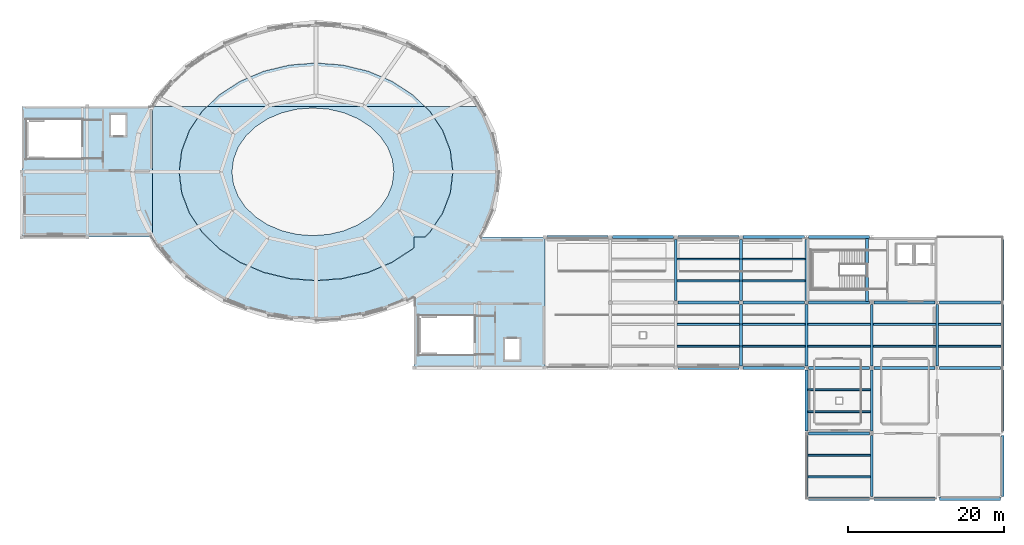
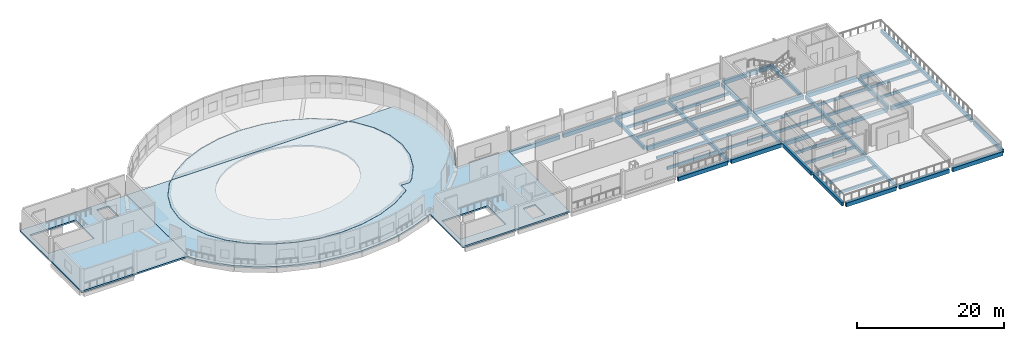
# One storey, part 5 of 16: 53 beams, 4 slabs.
"""IFC4 building model written with IfcOpenShell, lengths in metres."""

from ifc_helpers import new_model, si_unit, derived_unit, direction, frame, origin, origin_2d, place, context, subcontext, project, spatial, polyline, rectangle, outline, extrude, material, layer, layer_set, material_profile, profile_set, type_object, element, save


model = new_model("IFC4")

# Units and contexts
model_context = context("Model", 3, precision=1e-05, world=origin(), true_north=direction((0.0, 1.0)))
body_context = subcontext(model_context, "Body", "Model", "MODEL_VIEW")
ifc_project = project(units=[si_unit("LENGTHUNIT", "METRE"), si_unit("AREAUNIT", "SQUARE_METRE"), si_unit("VOLUMEUNIT", "CUBIC_METRE"), si_unit("PLANEANGLEUNIT", "RADIAN"), si_unit("MASSUNIT", "GRAM", prefix="KILO"), derived_unit("THERMALTRANSMITTANCEUNIT", [(si_unit("POWERUNIT", "WATT"), 1), (si_unit("LENGTHUNIT", "METRE"), -2), (si_unit("THERMODYNAMICTEMPERATUREUNIT", "KELVIN"), -1)])], contexts=[model_context])

# Site, building, storey
site_placement = place(None, origin())
site = spatial("IfcSite", under=ifc_project, at=site_placement, CompositionType="ELEMENT")
building_placement = place(site_placement, origin())
building = spatial("IfcBuilding", under=site, at=building_placement, Name="Elbkamm Science Centre", CompositionType="ELEMENT")
storey_placement = place(building_placement, frame((0.0, 0.0, 21.60009765625)))
storey = spatial("IfcBuildingStorey", under=building, at=storey_placement, Name="L05", CompositionType="ELEMENT", Elevation=21.60009765625)

# Beams
ifc_material_1 = material(Name="Concrete C40/50", Category="concrete")
ifc_material_profile_1 = material_profile(ifc_material_1, rectangle(XDim=0.35009765625, YDim=0.60009765625, at=origin_2d()), Name="RC 350x600")
ifc_profile_set_1 = profile_set([ifc_material_profile_1], Name="Concrete C40/50")
beam_type_1 = type_object("IfcBeamType", Name="BM-RC-350x600", PredefinedType="BEAM", material=ifc_profile_set_1)
beam_1_placement = place(storey_placement, frame((109.199951171875, 50.675048828125, -0.56005859375), z_axis=(0.0, 1.0, 0.0), x_axis=(-1.0, 0.0, 0.0)))
element("IfcBeam", 1, at=beam_1_placement, inside=storey, type_object=beam_type_1, Name="L05 Primary Y-Girder 006", PredefinedType="BEAM", context=body_context, shape_type="SweptSolid", body=[
    extrude(rectangle(XDim=0.35009765625, YDim=0.60009765625, at=origin_2d()), origin(), (0.0, 0.0, 1.0), 7.849853515625),
])
beam_2_placement = place(storey_placement, frame((117.60009765625, 42.27490234375, -0.56005859375), z_axis=(0.0, 1.0, 0.0), x_axis=(-1.0, 0.0, 0.0)))
element("IfcBeam", 2, at=beam_2_placement, inside=storey, type_object=beam_type_1, Name="L05 Primary Y-Girder 007", PredefinedType="BEAM", context=body_context, shape_type="SweptSolid", body=[
    extrude(rectangle(XDim=0.35009765625, YDim=0.60009765625, at=origin_2d()), origin(), (0.0, 0.0, 1.0), 7.85009765625),
])
for number, where, z_axis, x_axis, name in (
    (3, (117.60009765625, 50.675048828125, -0.56005859375), (0.0, 1.0, 0.0), (-1.0, 0.0, 0.0), "L05 Primary Y-Girder 008"),
    (4, (126.0, 25.47509765625, -0.52001953125), (0.0, 1.0, 0.0), (-1.0, 0.0, 0.0), "L05 Primary Y-Girder 009"),
):
    element("IfcBeam", number, at=place(storey_placement, frame(where, z_axis=z_axis, x_axis=x_axis)), inside=storey, type_object=beam_type_1, Name=name, PredefinedType="BEAM", context=body_context, shape_type="SweptSolid", body=[
        extrude(rectangle(XDim=0.35009765625, YDim=0.60009765625, at=origin_2d()), origin(), (0.0, 0.0, 1.0), 7.849853515625),
    ])
for number, where, z_axis, x_axis, name in (
    (5, (126.0, 33.875, -0.56005859375), (0.0, 1.0, 0.0), (-1.0, 0.0, 0.0), "L05 Primary Y-Girder 010"),
    (6, (126.0, 42.27490234375, -0.56005859375), (0.0, 1.0, 0.0), (-1.0, 0.0, 0.0), "L05 Primary Y-Girder 011"),
):
    element("IfcBeam", number, at=place(storey_placement, frame(where, z_axis=z_axis, x_axis=x_axis)), inside=storey, type_object=beam_type_1, Name=name, PredefinedType="BEAM", context=body_context, shape_type="SweptSolid", body=[
        extrude(rectangle(XDim=0.35009765625, YDim=0.60009765625, at=origin_2d()), origin(), (0.0, 0.0, 1.0), 7.85009765625),
    ])
for number, where, z_axis, x_axis, name in (
    (7, (126.0, 50.675048828125, -0.56005859375), (0.0, 1.0, 0.0), (-1.0, 0.0, 0.0), "L05 Primary Y-Girder 012"),
    (8, (134.39990234375, 25.47509765625, -0.52001953125), (0.0, 1.0, 0.0), (-1.0, 0.0, 0.0), "L05 Primary Y-Girder 013"),
):
    element("IfcBeam", number, at=place(storey_placement, frame(where, z_axis=z_axis, x_axis=x_axis)), inside=storey, type_object=beam_type_1, Name=name, PredefinedType="BEAM", context=body_context, shape_type="SweptSolid", body=[
        extrude(rectangle(XDim=0.35009765625, YDim=0.60009765625, at=origin_2d()), origin(), (0.0, 0.0, 1.0), 7.849853515625),
    ])
for number, where, z_axis, x_axis, name in (
    (9, (134.39990234375, 33.875, -0.56005859375), (0.0, 1.0, 0.0), (-1.0, 0.0, 0.0), "L05 Primary Y-Girder 014"),
    (10, (134.39990234375, 42.27490234375, -0.56005859375), (0.0, 1.0, 0.0), (-1.0, 0.0, 0.0), "L05 Primary Y-Girder 015"),
    (11, (142.800048828125, 42.27490234375, -0.56005859375), (0.0, 1.0, 0.0), (-1.0, 0.0, 0.0), "L05 Primary Y-Girder 016"),
):
    element("IfcBeam", number, at=place(storey_placement, frame(where, z_axis=z_axis, x_axis=x_axis)), inside=storey, type_object=beam_type_1, Name=name, PredefinedType="BEAM", context=body_context, shape_type="SweptSolid", body=[
        extrude(rectangle(XDim=0.35009765625, YDim=0.60009765625, at=origin_2d()), origin(), (0.0, 0.0, 1.0), 7.85009765625),
    ])
beam_3_placement = place(storey_placement, frame((151.199951171875, 25.47509765625, -0.56005859375), z_axis=(0.0, 1.0, 0.0), x_axis=(-1.0, 0.0, 0.0)))
element("IfcBeam", 12, at=beam_3_placement, inside=storey, type_object=beam_type_1, Name="L05 Primary Y-Girder 017", PredefinedType="BEAM", context=body_context, shape_type="SweptSolid", body=[
    extrude(rectangle(XDim=0.35009765625, YDim=0.60009765625, at=origin_2d()), origin(), (0.0, 0.0, 1.0), 7.849853515625),
])
for number, where, z_axis, x_axis, name in (
    (13, (151.199951171875, 33.875, -0.52001953125), (0.0, 1.0, 0.0), (-1.0, 0.0, 0.0), "L05 Primary Y-Girder 018"),
    (14, (151.199951171875, 42.27490234375, -0.52001953125), (0.0, 1.0, 0.0), (-1.0, 0.0, 0.0), "L05 Primary Y-Girder 019"),
):
    element("IfcBeam", number, at=place(storey_placement, frame(where, z_axis=z_axis, x_axis=x_axis)), inside=storey, type_object=beam_type_1, Name=name, PredefinedType="BEAM", context=body_context, shape_type="SweptSolid", body=[
        extrude(rectangle(XDim=0.35009765625, YDim=0.60009765625, at=origin_2d()), origin(), (0.0, 0.0, 1.0), 7.85009765625),
    ])
beam_4_placement = place(storey_placement, frame((151.199951171875, 50.675048828125, -0.52001953125), z_axis=(0.0, 1.0, 0.0), x_axis=(-1.0, 0.0, 0.0)))
element("IfcBeam", 15, at=beam_4_placement, inside=storey, type_object=beam_type_1, Name="L05 Primary Y-Girder 020", PredefinedType="BEAM", context=body_context, shape_type="SweptSolid", body=[
    extrude(rectangle(XDim=0.35009765625, YDim=0.60009765625, at=origin_2d()), origin(), (0.0, 0.0, 1.0), 7.849853515625),
])
beam_5_placement = place(storey_placement, frame((133.780029296875, 50.550048828125, -0.300048828125), z_axis=(0.0, 1.0, 0.0), x_axis=(-1.0, 0.0, 0.0)))
element("IfcBeam", 16, at=beam_5_placement, inside=storey, type_object=beam_type_1, Name="L05 ST-C3 Landing Trimmer Beam", PredefinedType="BEAM", context=body_context, shape_type="SweptSolid", body=[
    extrude(rectangle(XDim=0.35009765625, YDim=0.60009765625, at=origin_2d()), origin(), (0.0, 0.0, 1.0), 8.099853515625),
])
ifc_material_profile_2 = material_profile(ifc_material_1, rectangle(XDim=0.39990234375, YDim=0.64990234375, at=origin_2d()), Name="RC 400x650")
ifc_profile_set_2 = profile_set([ifc_material_profile_2], Name="Concrete C40/50")
beam_type_2 = type_object("IfcBeamType", Name="BM-RC-400x650", PredefinedType="BEAM", material=ifc_profile_set_2)
beam_6_placement = place(storey_placement, frame((126.27490234375, 25.199951171875, -0.545166015625), z_axis=(1.0, 0.0, 0.0), x_axis=(0.0, 1.0, 0.0)))
element("IfcBeam", 17, at=beam_6_placement, inside=storey, type_object=beam_type_2, Name="L05 Primary X-Girder 001", PredefinedType="BEAM", context=body_context, shape_type="SweptSolid", body=[
    extrude(rectangle(XDim=0.39990234375, YDim=0.64990234375, at=origin_2d()), origin(), (0.0, 0.0, 1.0), 7.85009765625),
])
beam_7_placement = place(storey_placement, frame((134.675048828125, 25.199951171875, -0.545166015625), z_axis=(1.0, 0.0, 0.0), x_axis=(0.0, 1.0, 0.0)))
element("IfcBeam", 18, at=beam_7_placement, inside=storey, type_object=beam_type_2, Name="L05 Primary X-Girder 002", PredefinedType="BEAM", context=body_context, shape_type="SweptSolid", body=[
    extrude(rectangle(XDim=0.39990234375, YDim=0.64990234375, at=origin_2d()), origin(), (0.0, 0.0, 1.0), 7.849853515625),
])
for number, where, z_axis, x_axis, name in (
    (19, (143.074951171875, 25.199951171875, -0.585205078125), (1.0, 0.0, 0.0), (0.0, 1.0, 0.0), "L05 Primary X-Girder 003"),
    (20, (126.27490234375, 33.60009765625, -0.585205078125), (1.0, 0.0, 0.0), (0.0, 1.0, 0.0), "L05 Primary X-Girder 004"),
):
    element("IfcBeam", number, at=place(storey_placement, frame(where, z_axis=z_axis, x_axis=x_axis)), inside=storey, type_object=beam_type_2, Name=name, PredefinedType="BEAM", context=body_context, shape_type="SweptSolid", body=[
        extrude(rectangle(XDim=0.39990234375, YDim=0.64990234375, at=origin_2d()), origin(), (0.0, 0.0, 1.0), 7.85009765625),
    ])
beam_8_placement = place(storey_placement, frame((109.47509765625, 42.0, -0.585205078125), z_axis=(1.0, 0.0, 0.0), x_axis=(0.0, 1.0, 0.0)))
element("IfcBeam", 21, at=beam_8_placement, inside=storey, type_object=beam_type_2, Name="L05 Primary X-Girder 009", PredefinedType="BEAM", context=body_context, shape_type="SweptSolid", body=[
    extrude(rectangle(XDim=0.39990234375, YDim=0.64990234375, at=origin_2d()), origin(), (0.0, 0.0, 1.0), 7.849853515625),
])
for number, where, z_axis, x_axis, name in (
    (22, (117.875, 42.0, -0.585205078125), (1.0, 0.0, 0.0), (0.0, 1.0, 0.0), "L05 Primary X-Girder 010"),
    (23, (126.27490234375, 42.0, -0.585205078125), (1.0, 0.0, 0.0), (0.0, 1.0, 0.0), "L05 Primary X-Girder 011"),
):
    element("IfcBeam", number, at=place(storey_placement, frame(where, z_axis=z_axis, x_axis=x_axis)), inside=storey, type_object=beam_type_2, Name=name, PredefinedType="BEAM", context=body_context, shape_type="SweptSolid", body=[
        extrude(rectangle(XDim=0.39990234375, YDim=0.64990234375, at=origin_2d()), origin(), (0.0, 0.0, 1.0), 7.85009765625),
    ])
beam_9_placement = place(storey_placement, frame((134.675048828125, 42.0, -0.585205078125), z_axis=(1.0, 0.0, 0.0), x_axis=(0.0, 1.0, 0.0)))
element("IfcBeam", 24, at=beam_9_placement, inside=storey, type_object=beam_type_2, Name="L05 Primary X-Girder 012", PredefinedType="BEAM", context=body_context, shape_type="SweptSolid", body=[
    extrude(rectangle(XDim=0.39990234375, YDim=0.64990234375, at=origin_2d()), origin(), (0.0, 0.0, 1.0), 7.849853515625),
])
beam_10_placement = place(storey_placement, frame((143.074951171875, 42.0, -0.545166015625), z_axis=(1.0, 0.0, 0.0), x_axis=(0.0, 1.0, 0.0)))
element("IfcBeam", 25, at=beam_10_placement, inside=storey, type_object=beam_type_2, Name="L05 Primary X-Girder 013", PredefinedType="BEAM", context=body_context, shape_type="SweptSolid", body=[
    extrude(rectangle(XDim=0.39990234375, YDim=0.64990234375, at=origin_2d()), origin(), (0.0, 0.0, 1.0), 7.85009765625),
])
beam_11_placement = place(storey_placement, frame((109.47509765625, 50.39990234375, -0.585205078125), z_axis=(1.0, 0.0, 0.0), x_axis=(0.0, 1.0, 0.0)))
element("IfcBeam", 26, at=beam_11_placement, inside=storey, type_object=beam_type_2, Name="L05 Primary X-Girder 015", PredefinedType="BEAM", context=body_context, shape_type="SweptSolid", body=[
    extrude(rectangle(XDim=0.39990234375, YDim=0.64990234375, at=origin_2d()), origin(), (0.0, 0.0, 1.0), 7.849853515625),
])
for number, where, z_axis, x_axis, name in (
    (27, (117.875, 50.39990234375, -0.585205078125), (1.0, 0.0, 0.0), (0.0, 1.0, 0.0), "L05 Primary X-Girder 016"),
    (28, (126.27490234375, 50.39990234375, -0.585205078125), (1.0, 0.0, 0.0), (0.0, 1.0, 0.0), "L05 Primary X-Girder 017"),
):
    element("IfcBeam", number, at=place(storey_placement, frame(where, z_axis=z_axis, x_axis=x_axis)), inside=storey, type_object=beam_type_2, Name=name, PredefinedType="BEAM", context=body_context, shape_type="SweptSolid", body=[
        extrude(rectangle(XDim=0.39990234375, YDim=0.64990234375, at=origin_2d()), origin(), (0.0, 0.0, 1.0), 7.85009765625),
    ])
beam_12_placement = place(storey_placement, frame((134.675048828125, 50.39990234375, -0.585205078125), z_axis=(1.0, 0.0, 0.0), x_axis=(0.0, 1.0, 0.0)))
element("IfcBeam", 29, at=beam_12_placement, inside=storey, type_object=beam_type_2, Name="L05 Primary X-Girder 018", PredefinedType="BEAM", context=body_context, shape_type="SweptSolid", body=[
    extrude(rectangle(XDim=0.39990234375, YDim=0.64990234375, at=origin_2d()), origin(), (0.0, 0.0, 1.0), 7.849853515625),
])
beam_13_placement = place(storey_placement, frame((143.074951171875, 50.39990234375, -0.545166015625), z_axis=(1.0, 0.0, 0.0), x_axis=(0.0, 1.0, 0.0)))
element("IfcBeam", 30, at=beam_13_placement, inside=storey, type_object=beam_type_2, Name="L05 Primary X-Girder 019", PredefinedType="BEAM", context=body_context, shape_type="SweptSolid", body=[
    extrude(rectangle(XDim=0.39990234375, YDim=0.64990234375, at=origin_2d()), origin(), (0.0, 0.0, 1.0), 7.85009765625),
])
beam_14_placement = place(storey_placement, frame((92.675048828125, 58.800048828125, -0.585205078125), z_axis=(1.0, 0.0, 0.0), x_axis=(0.0, 1.0, 0.0)))
element("IfcBeam", 31, at=beam_14_placement, inside=storey, type_object=beam_type_2, Name="L05 Primary X-Girder 021", PredefinedType="BEAM", context=body_context, shape_type="SweptSolid", body=[
    extrude(rectangle(XDim=0.39990234375, YDim=0.64990234375, at=origin_2d()), origin(), (0.0, 0.0, 1.0), 7.849853515625),
])
beam_15_placement = place(storey_placement, frame((101.074951171875, 58.800048828125, -0.585205078125), z_axis=(1.0, 0.0, 0.0), x_axis=(0.0, 1.0, 0.0)))
element("IfcBeam", 32, at=beam_15_placement, inside=storey, type_object=beam_type_2, Name="L05 Primary X-Girder 022", PredefinedType="BEAM", context=body_context, shape_type="SweptSolid", body=[
    extrude(rectangle(XDim=0.39990234375, YDim=0.64990234375, at=origin_2d()), origin(), (0.0, 0.0, 1.0), 7.85009765625),
])
beam_16_placement = place(storey_placement, frame((109.47509765625, 58.800048828125, -0.585205078125), z_axis=(1.0, 0.0, 0.0), x_axis=(0.0, 1.0, 0.0)))
element("IfcBeam", 33, at=beam_16_placement, inside=storey, type_object=beam_type_2, Name="L05 Primary X-Girder 023", PredefinedType="BEAM", context=body_context, shape_type="SweptSolid", body=[
    extrude(rectangle(XDim=0.39990234375, YDim=0.64990234375, at=origin_2d()), origin(), (0.0, 0.0, 1.0), 7.849853515625),
])
for number, where, z_axis, x_axis, name in (
    (34, (117.875, 58.800048828125, -0.585205078125), (1.0, 0.0, 0.0), (0.0, 1.0, 0.0), "L05 Primary X-Girder 024"),
    (35, (126.27490234375, 58.800048828125, -0.585205078125), (1.0, 0.0, 0.0), (0.0, 1.0, 0.0), "L05 Primary X-Girder 025"),
):
    element("IfcBeam", number, at=place(storey_placement, frame(where, z_axis=z_axis, x_axis=x_axis)), inside=storey, type_object=beam_type_2, Name=name, PredefinedType="BEAM", context=body_context, shape_type="SweptSolid", body=[
        extrude(rectangle(XDim=0.39990234375, YDim=0.64990234375, at=origin_2d()), origin(), (0.0, 0.0, 1.0), 7.85009765625),
    ])
ifc_material_profile_3 = material_profile(ifc_material_1, rectangle(XDim=0.25, YDim=0.449951171875, at=origin_2d()), Name="RC 250x450")
ifc_profile_set_3 = profile_set([ifc_material_profile_3], Name="Concrete C40/50")
beam_type_3 = type_object("IfcBeamType", Name="JST-RC-250x450", PredefinedType="JOIST", material=ifc_profile_set_3)
for number, where, z_axis, x_axis, name in (
    (36, (109.3798828125, 44.800048828125, -0.485107421875), (1.0, 0.0, 0.0), (0.0, 1.0, 0.0), "L05 Secondary Floor Joist 007"),
    (37, (109.3798828125, 47.60009765625, -0.485107421875), (1.0, 0.0, 0.0), (0.0, 1.0, 0.0), "L05 Secondary Floor Joist 008"),
    (38, (109.3798828125, 53.199951171875, -0.485107421875), (1.0, 0.0, 0.0), (0.0, 1.0, 0.0), "L05 Secondary Floor Joist 009"),
    (39, (109.3798828125, 56.0, -0.485107421875), (1.0, 0.0, 0.0), (0.0, 1.0, 0.0), "L05 Secondary Floor Joist 010"),
    (40, (117.780029296875, 44.800048828125, -0.485107421875), (1.0, 0.0, 0.0), (0.0, 1.0, 0.0), "L05 Secondary Floor Joist 011"),
    (41, (117.780029296875, 47.60009765625, -0.485107421875), (1.0, 0.0, 0.0), (0.0, 1.0, 0.0), "L05 Secondary Floor Joist 012"),
    (42, (117.780029296875, 53.199951171875, -0.485107421875), (1.0, 0.0, 0.0), (0.0, 1.0, 0.0), "L05 Secondary Floor Joist 013"),
    (43, (117.780029296875, 56.0, -0.485107421875), (1.0, 0.0, 0.0), (0.0, 1.0, 0.0), "L05 Secondary Floor Joist 014"),
    (44, (126.179931640625, 28.0, -0.445068359375), (1.0, 0.0, 0.0), (0.0, 1.0, 0.0), "L05 Secondary Floor Joist 015"),
    (45, (126.179931640625, 30.800048828125, -0.445068359375), (1.0, 0.0, 0.0), (0.0, 1.0, 0.0), "L05 Secondary Floor Joist 016"),
    (46, (126.179931640625, 36.39990234375, -0.485107421875), (1.0, 0.0, 0.0), (0.0, 1.0, 0.0), "L05 Secondary Floor Joist 017"),
    (47, (126.179931640625, 39.199951171875, -0.485107421875), (1.0, 0.0, 0.0), (0.0, 1.0, 0.0), "L05 Secondary Floor Joist 018"),
    (48, (126.179931640625, 44.800048828125, -0.485107421875), (1.0, 0.0, 0.0), (0.0, 1.0, 0.0), "L05 Secondary Floor Joist 019"),
    (49, (126.179931640625, 47.60009765625, -0.485107421875), (1.0, 0.0, 0.0), (0.0, 1.0, 0.0), "L05 Secondary Floor Joist 020"),
    (50, (134.580078125, 44.800048828125, -0.485107421875), (1.0, 0.0, 0.0), (0.0, 1.0, 0.0), "L05 Secondary Floor Joist 021"),
    (51, (134.580078125, 47.60009765625, -0.485107421875), (1.0, 0.0, 0.0), (0.0, 1.0, 0.0), "L05 Secondary Floor Joist 022"),
    (52, (142.97998046875, 44.800048828125, -0.445068359375), (1.0, 0.0, 0.0), (0.0, 1.0, 0.0), "L05 Secondary Floor Joist 023"),
    (53, (142.97998046875, 47.60009765625, -0.445068359375), (1.0, 0.0, 0.0), (0.0, 1.0, 0.0), "L05 Secondary Floor Joist 024"),
):
    element("IfcBeam", number, at=place(storey_placement, frame(where, z_axis=z_axis, x_axis=x_axis)), inside=storey, type_object=beam_type_3, Name=name, PredefinedType="JOIST", context=body_context, shape_type="SweptSolid", body=[
        extrude(rectangle(XDim=0.25, YDim=0.449951171875, at=origin_2d()), origin(), (0.0, 0.0, 1.0), 8.0400390625),
    ])

# Slabs
ifc_material_2 = material(Name="Reinforced concrete C40/50", Category="concrete")
ifc_layer_1 = layer(ifc_material_2, 0.260009765625)
ifc_layer_set_1 = layer_set([ifc_layer_1], Name="Reinforced concrete C40/50")
slab_type_1 = type_object("IfcSlabType", Name="SLAB-FLR-260", PredefinedType="FLOOR", material=ifc_layer_set_1)
slab_1_placement = place(storey_placement, frame((0.0, 0.0, -0.260009765625)))
element("IfcSlab", 54, at=slab_1_placement, inside=storey, type_object=slab_type_1, Name="L05 Structural Slab WM-01", PredefinedType="FLOOR", context=body_context, shape_type="SweptSolid", body=[
    extrude(outline(polyline([(41.83447265625, 58.800048828125), (25.199951171875, 58.800048828125), (25.199951171875, 67.199951171875), (25.199951171875, 75.60009765625), (41.83447265625, 75.60009765625), (42.0, 75.60009765625), (42.0, 58.52685546875), (41.83447265625, 58.800048828125)]), holes=[polyline([(32.97998046875, 68.8798828125), (32.97998046875, 73.919921875), (25.800048828125, 73.919921875), (25.800048828125, 68.8798828125), (32.97998046875, 68.8798828125)]), polyline([(38.550048828125, 71.85009765625), (38.550048828125, 74.550048828125), (36.64990234375, 74.550048828125), (36.64990234375, 71.85009765625), (38.550048828125, 71.85009765625)])]), origin(), (0.0, 0.0, 1.0), 0.260009765625),
])
slab_2_placement = place(storey_placement, frame((0.0, 0.0, -0.260009765625)))
element("IfcSlab", 55, at=slab_2_placement, inside=storey, type_object=slab_type_1, Name="L05 Structural Slab CM-02", PredefinedType="FLOOR", context=body_context, shape_type="SweptSolid", body=[
    extrude(outline(polyline([(51.199951171875, 50.572265625), (48.63330078125, 51.967529296875), (46.312255859375, 53.62353515625), (44.27685546875, 55.51171875), (42.561767578125, 57.60009765625), (42.0, 58.52685546875), (42.0, 75.60009765625), (49.0078125, 75.60009765625), (48.3662109375, 74.97802734375), (46.73974609375, 72.5576171875), (45.73828125, 69.931396484375), (45.39990234375, 67.199951171875), (45.73828125, 64.46875), (46.73974609375, 61.84228515625), (48.3662109375, 59.422119140625), (50.554931640625, 57.300537109375), (53.221923828125, 55.559326171875), (56.264892578125, 54.265625), (59.56640625, 53.468994140625), (63.0, 53.199951171875), (66.43359375, 53.468994140625), (69.735107421875, 54.265625), (72.778076171875, 55.559326171875), (75.445068359375, 57.300537109375), (75.60009765625, 57.45068359375), (75.60009765625, 58.800048828125), (76.9921875, 58.800048828125), (77.6337890625, 59.422119140625), (79.26025390625, 61.84228515625), (80.26171875, 64.46875), (80.60009765625, 67.199951171875), (80.26171875, 69.931396484375), (79.26025390625, 72.5576171875), (77.6337890625, 74.97802734375), (76.9921875, 75.60009765625), (84.16552734375, 75.60009765625), (84.8037109375, 74.547607421875), (85.7958984375, 72.169189453125), (86.398193359375, 69.7060546875), (86.60009765625, 67.199951171875), (86.398193359375, 64.69384765625), (85.7958984375, 62.230712890625), (84.8037109375, 59.8525390625), (84.16552734375, 58.800048828125), (92.39990234375, 58.800048828125), (92.39990234375, 42.0), (75.60009765625, 42.0), (75.60009765625, 50.39990234375), (75.60009765625, 51.007080078125), (74.800048828125, 50.572265625), (72.03125, 49.46142578125), (69.108154296875, 48.654296875), (66.080322265625, 48.164306640625), (63.0, 48.0), (59.919677734375, 48.164306640625), (56.891845703125, 48.654296875), (53.96875, 49.46142578125), (51.199951171875, 50.572265625)]), holes=[polyline([(76.199951171875, 48.719970703125), (76.199951171875, 43.679931640625), (83.3798828125, 43.679931640625), (83.3798828125, 48.719970703125), (76.199951171875, 48.719970703125)]), polyline([(87.25, 45.75), (87.25, 43.050048828125), (89.14990234375, 43.050048828125), (89.14990234375, 45.75), (87.25, 45.75)])]), origin(), (0.0, 0.0, 1.0), 0.260009765625),
])
ifc_layer_2 = layer(ifc_material_2, 0.260009765625)
ifc_layer_set_2 = layer_set([ifc_layer_2], Name="Reinforced concrete C40/50")
slab_type_2 = type_object("IfcSlabType", Name="SLAB-ROOF-260", PredefinedType="ROOF", material=ifc_layer_set_2)
slab_3_placement = place(storey_placement, frame((0.0, 0.0, -0.260009765625)))
element("IfcSlab", 56, at=slab_3_placement, inside=storey, type_object=slab_type_2, Name="L05 Step-Back Roof Slab 01", PredefinedType="ROOF", context=body_context, shape_type="SweptSolid", body=[
    extrude(outline(polyline([(75.561279296875, 57.57275390625), (75.55029296875, 57.529541015625), (75.534912109375, 57.487548828125), (75.515625, 57.447265625), (75.492431640625, 57.4091796875), (75.4658203125, 57.373291015625), (75.435546875, 57.340576171875), (75.402099609375, 57.310791015625), (75.365966796875, 57.28466796875), (74.628662109375, 56.803466796875), (72.797119140625, 55.607666015625), (72.762939453125, 55.58740234375), (72.727294921875, 55.5703125), (69.760009765625, 54.308837890625), (69.725341796875, 54.295654296875), (69.689453125, 54.285400390625), (66.9365234375, 53.62109375), (66.463623046875, 53.507080078125), (66.4287109375, 53.5), (66.393310546875, 53.495849609375), (63.03515625, 53.23291015625), (63.0, 53.2314453125), (62.96484375, 53.23291015625), (59.606689453125, 53.495849609375), (59.5712890625, 53.5), (59.536376953125, 53.507080078125), (58.10009765625, 53.853759765625), (56.310546875, 54.285400390625), (56.274658203125, 54.295654296875), (56.239990234375, 54.308837890625), (53.272705078125, 55.5703125), (53.237060546875, 55.58740234375), (53.202880859375, 55.607666015625), (50.60986328125, 57.30029296875), (50.574951171875, 57.32568359375), (50.542724609375, 57.35400390625), (48.423095703125, 59.408447265625), (48.39111328125, 59.44287109375), (48.36279296875, 59.480712890625), (47.892333984375, 60.180908203125), (46.795166015625, 61.813720703125), (46.76904296875, 61.857666015625), (46.748291015625, 61.904296875), (46.246337890625, 63.22021484375), (45.787109375, 64.425048828125), (45.770751953125, 64.476806640625), (45.7607421875, 64.530029296875), (45.5986328125, 65.840087890625), (45.43701171875, 67.144775390625), (45.43408203125, 67.181396484375), (45.43408203125, 67.218505859375), (45.43701171875, 67.25537109375), (45.598876953125, 68.561279296875), (45.7607421875, 69.869873046875), (45.770751953125, 69.923095703125), (45.787109375, 69.974853515625), (46.748291015625, 72.49560546875), (46.76904296875, 72.54248046875), (46.795166015625, 72.58642578125), (48.36279296875, 74.91943359375), (48.39111328125, 74.95703125), (48.423095703125, 74.99169921875), (49.05078125, 75.60009765625), (76.94921875, 75.60009765625), (77.576904296875, 74.99169921875), (77.60888671875, 74.95703125), (77.63720703125, 74.91943359375), (79.204833984375, 72.58642578125), (79.23095703125, 72.54248046875), (79.251708984375, 72.49560546875), (79.76171875, 71.158935546875), (80.212890625, 69.974853515625), (80.229248046875, 69.923095703125), (80.2392578125, 69.869873046875), (80.56298828125, 67.25537109375), (80.56591796875, 67.218505859375), (80.56591796875, 67.181396484375), (80.56298828125, 67.144775390625), (80.2392578125, 64.530029296875), (80.229248046875, 64.476806640625), (80.212890625, 64.425048828125), (79.566162109375, 62.728759765625), (79.251708984375, 61.904296875), (79.23095703125, 61.857666015625), (79.204833984375, 61.813720703125), (77.868408203125, 59.824951171875), (77.63720703125, 59.480712890625), (77.60888671875, 59.44287109375), (77.576904296875, 59.408447265625), (77.11083984375, 58.956787109375), (77.078369140625, 58.92822265625), (77.043212890625, 58.90283203125), (77.006103515625, 58.881103515625), (76.966796875, 58.86279296875), (76.92578125, 58.8486328125), (76.8837890625, 58.83837890625), (76.841064453125, 58.83203125), (76.797607421875, 58.830078125), (75.60546875, 58.830078125), (75.60009765625, 58.830078125), (75.59716796875, 58.829833984375), (75.593994140625, 58.829345703125), (75.59130859375, 58.82861328125), (75.58837890625, 58.82763671875), (75.5859375, 58.826416015625), (75.583251953125, 58.824951171875), (75.5810546875, 58.8232421875), (75.578857421875, 58.8212890625), (75.576904296875, 58.819091796875), (75.5751953125, 58.816650390625), (75.573486328125, 58.814208984375), (75.572265625, 58.8115234375), (75.5712890625, 58.80859375), (75.570556640625, 58.805908203125), (75.570068359375, 58.802978515625), (75.570068359375, 58.800048828125), (75.570068359375, 58.793701171875), (75.570068359375, 57.66162109375), (75.56787109375, 57.616943359375), (75.561279296875, 57.57275390625)]), holes=[polyline([(72.998779296875, 67.19091796875), (73.0, 67.199951171875), (72.998779296875, 67.209228515625), (72.825927734375, 68.593994140625), (72.802001953125, 68.7861328125), (72.80029296875, 68.7998046875), (72.79541015625, 68.8125), (72.523193359375, 69.519775390625), (72.212890625, 70.325927734375), (72.208251953125, 70.337890625), (72.201171875, 70.3486328125), (71.25390625, 71.745849609375), (71.247314453125, 71.755615234375), (71.23876953125, 71.763916015625), (70.411865234375, 72.558349609375), (69.961669921875, 72.990966796875), (69.953857421875, 72.998291015625), (69.94482421875, 73.004150390625), (68.38623046875, 74.0126953125), (68.3779296875, 74.01806640625), (68.368896484375, 74.02197265625), (66.58837890625, 74.772216796875), (66.579833984375, 74.77587890625), (66.57080078125, 74.77783203125), (64.902587890625, 75.177001953125), (64.637451171875, 75.240234375), (64.62890625, 75.242431640625), (64.6201171875, 75.2431640625), (63.367919921875, 75.34033203125), (62.608642578125, 75.3994140625), (62.60009765625, 75.39990234375), (62.59130859375, 75.3994140625), (61.789794921875, 75.337158203125), (60.579833984375, 75.2431640625), (60.571044921875, 75.242431640625), (60.5625, 75.240234375), (58.629150390625, 74.77783203125), (58.6201171875, 74.77587890625), (58.611572265625, 74.772216796875), (57.797607421875, 74.42919921875), (56.831298828125, 74.02197265625), (56.822021484375, 74.01806640625), (56.813720703125, 74.0126953125), (55.56298828125, 73.203369140625), (55.255126953125, 73.004150390625), (55.24609375, 72.998291015625), (55.23828125, 72.990966796875), (54.30859375, 72.09765625), (53.961181640625, 71.763916015625), (53.95263671875, 71.755615234375), (53.946044921875, 71.745849609375), (53.537841796875, 71.1435546875), (52.998779296875, 70.3486328125), (52.99169921875, 70.337890625), (52.987060546875, 70.325927734375), (52.40478515625, 68.8125), (52.39990234375, 68.7998046875), (52.398193359375, 68.7861328125), (52.327880859375, 68.223876953125), (52.201171875, 67.209228515625), (52.199951171875, 67.199951171875), (52.201171875, 67.19091796875), (52.327880859375, 66.176025390625), (52.398193359375, 65.614013671875), (52.39990234375, 65.600341796875), (52.40478515625, 65.58740234375), (52.987060546875, 64.073974609375), (52.99169921875, 64.06201171875), (52.998779296875, 64.051513671875), (53.946044921875, 62.654052734375), (53.95263671875, 62.644287109375), (53.961181640625, 62.635986328125), (54.807373046875, 61.8232421875), (55.23828125, 61.4091796875), (55.24609375, 61.401611328125), (55.255126953125, 61.39599609375), (56.813720703125, 60.38720703125), (56.822021484375, 60.3818359375), (56.831298828125, 60.378173828125), (58.611572265625, 59.627685546875), (58.6201171875, 59.624267578125), (58.629150390625, 59.6220703125), (60.114013671875, 59.266845703125), (60.5625, 59.15966796875), (60.571044921875, 59.15771484375), (60.579833984375, 59.156982421875), (62.548095703125, 59.00390625), (62.59130859375, 59.000732421875), (62.60009765625, 59.0), (62.608642578125, 59.000732421875), (62.743896484375, 59.01123046875), (64.6201171875, 59.156982421875), (64.62890625, 59.15771484375), (64.637451171875, 59.15966796875), (66.57080078125, 59.6220703125), (66.579833984375, 59.624267578125), (66.58837890625, 59.627685546875), (68.368896484375, 60.378173828125), (68.3779296875, 60.3818359375), (68.38623046875, 60.38720703125), (68.51611328125, 60.47119140625), (69.94482421875, 61.39599609375), (69.953857421875, 61.401611328125), (69.961669921875, 61.4091796875), (70.645263671875, 62.06591796875), (71.23876953125, 62.635986328125), (71.247314453125, 62.644287109375), (71.25390625, 62.654052734375), (72.201171875, 64.051513671875), (72.208251953125, 64.06201171875), (72.212890625, 64.073974609375), (72.79541015625, 65.58740234375), (72.80029296875, 65.600341796875), (72.802001953125, 65.614013671875), (72.825927734375, 65.80615234375), (72.998779296875, 67.19091796875)])]), origin(), (0.0, 0.0, 1.0), 0.260009765625),
])
slab_4_placement = place(storey_placement, frame((0.0, 0.0, -0.260009765625)))
element("IfcSlab", 57, at=slab_4_placement, inside=storey, type_object=slab_type_2, Name="L05 Step-Back Roof Slab 02", PredefinedType="ROOF", context=body_context, shape_type="SweptSolid", body=[
    extrude(outline(polyline([(50.542724609375, 77.0458984375), (50.574951171875, 77.07421875), (50.60986328125, 77.099609375), (53.202880859375, 78.792236328125), (53.237060546875, 78.8125), (53.272705078125, 78.82958984375), (56.239990234375, 80.091064453125), (56.274658203125, 80.104248046875), (56.310546875, 80.114501953125), (58.3193359375, 80.59912109375), (59.536376953125, 80.892822265625), (59.5712890625, 80.89990234375), (59.606689453125, 80.904052734375), (62.96484375, 81.167236328125), (63.0, 81.16845703125), (63.03515625, 81.167236328125), (66.393310546875, 80.904052734375), (66.4287109375, 80.89990234375), (66.463623046875, 80.892822265625), (67.839111328125, 80.56103515625), (69.689453125, 80.114501953125), (69.725341796875, 80.104248046875), (69.760009765625, 80.091064453125), (71.31591796875, 79.4296875), (72.727294921875, 78.82958984375), (72.762939453125, 78.8125), (72.797119140625, 78.792236328125), (75.39013671875, 77.099609375), (75.425048828125, 77.07421875), (75.457275390625, 77.0458984375), (76.94921875, 75.60009765625), (49.05078125, 75.60009765625), (50.542724609375, 77.0458984375)])), origin(), (0.0, 0.0, 1.0), 0.260009765625),
])

save(model, "model.ifc")
